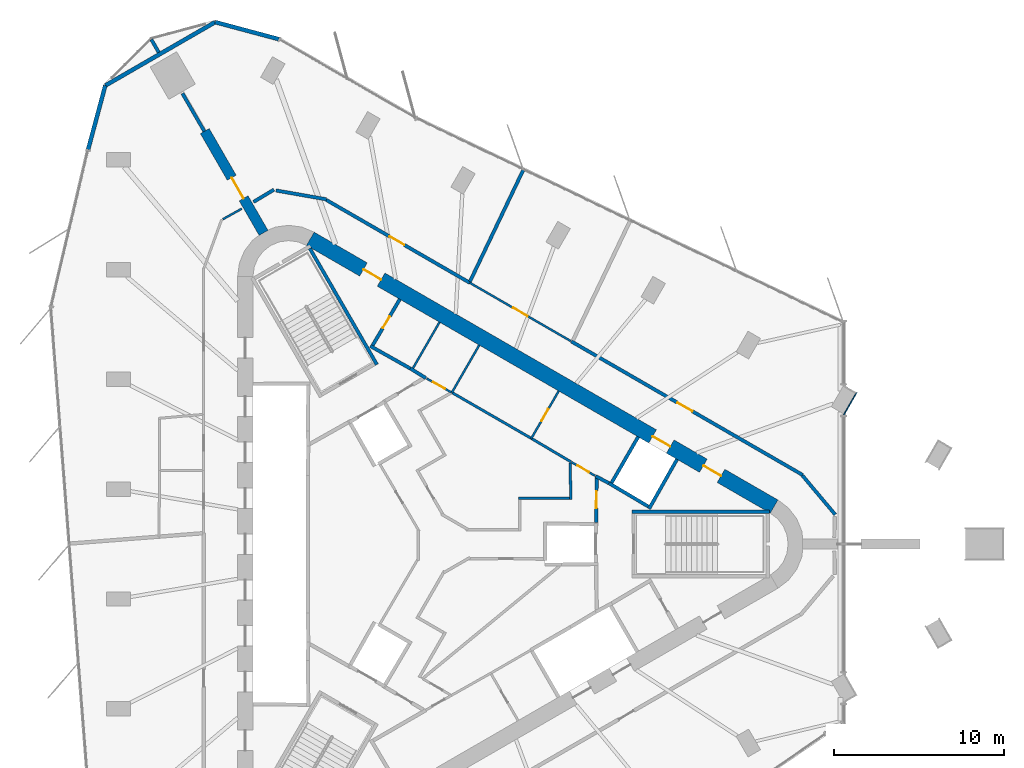
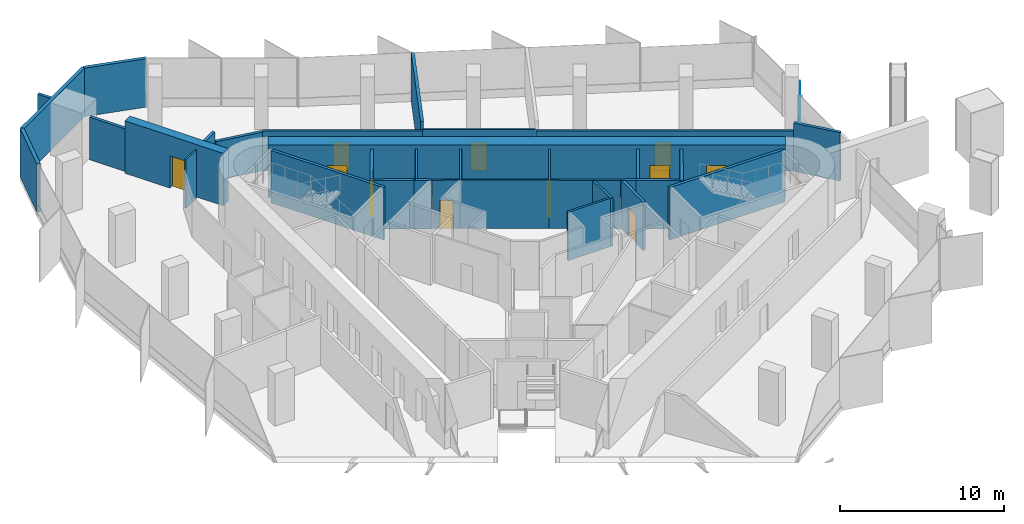
# One storey, part 10 of 12: 35 walls, 12 doors, 12 openings.
"""IFC4 building model written with IfcOpenShell, lengths in metres."""

from ifc_helpers import new_model, si_unit, direction, frame, frame_2d, origin, place, context, subcontext, project, spatial, rectangle, extrude, material, layer, layer_set, type_object, element, fill, save


model = new_model("IFC4")

# Units and contexts
model_context = context("Model", 3, precision=1e-05, world=origin(), true_north=direction((0.0, 1.0)))
body_context = subcontext(model_context, "Body", "Model", "MODEL_VIEW")
ifc_project = project(units=[si_unit("LENGTHUNIT", "METRE"), si_unit("AREAUNIT", "SQUARE_METRE"), si_unit("VOLUMEUNIT", "CUBIC_METRE"), si_unit("PLANEANGLEUNIT", "RADIAN"), si_unit("MASSUNIT", "GRAM", prefix="KILO")], contexts=[model_context])

# Site, building, storey
site_placement = place(None, origin())
site = spatial("IfcSite", under=ifc_project, at=site_placement, CompositionType="ELEMENT")
building_placement = place(site_placement, origin())
building = spatial("IfcBuilding", under=site, at=building_placement, Name="Tanit Gate Tower", CompositionType="ELEMENT")
storey_placement = place(building_placement, frame((0.0, 0.0, 372.800048828125)))
storey = spatial("IfcBuildingStorey", under=building, at=storey_placement, Name="L85", CompositionType="ELEMENT", Elevation=372.800048828125)

# Wall, opening, door
ifc_material_1 = material(Name="Concrete C40/50", Category="concrete")
ifc_layer_1 = layer(ifc_material_1, 0.60009765625)
ifc_layer_set_1 = layer_set([ifc_layer_1], Name="BUTTRESS FIN 600 C40/50")
wall_type_1 = type_object("IfcWallType", Name="BUTTRESS FIN 600 C40/50", PredefinedType="SHEAR", material=ifc_layer_set_1)
wall_1_placement = place(storey_placement, frame((-10.574951171875, 18.31640625, 0.0), z_axis=(0.0, 0.0, 1.0), x_axis=(-0.499997253739, 0.866026989333, 0.0)))
wall_1 = element("IfcWall", 1, at=wall_1_placement, inside=storey, type_object=wall_type_1, Name="BUTTRESS FIN", PredefinedType="SHEAR", context=body_context, shape_type="SweptSolid", body=[
    extrude(rectangle(XDim=6.92138671875, YDim=0.60009765625, at=frame_2d((3.460693359375, 0.0))), origin(), (0.0, 0.0, 1.0), 3.89990234375),
])
opening_1_placement = place(wall_1_placement, frame((2.35009765625, 0.0, 0.0)))
opening_1 = element("IfcOpeningElement", 2, at=opening_1_placement, cuts=wall_1, Name="Opening P14-85-F-NW-1", PredefinedType="OPENING", context=body_context, shape_type="SweptSolid", body=[
    extrude(rectangle(XDim=1.39990234375, YDim=2.39990234375, at=frame_2d((0.699951171875, 1.199951171875))), frame((0.0, 0.31005859375, 0.0), z_axis=(0.0, -1.0, 0.0), x_axis=(1.0, 0.0, 0.0)), (0.0, 0.0, 1.0), 0.6201171875),
])
ifc_material_2 = material(Name="Timber door leaf", Category="wood")
door_type_1 = type_object("IfcDoorType", Name="INT-DOOR-FIN-PAIR-1400", OperationType="NOTDEFINED", PredefinedType="NOTDEFINED", material=ifc_material_2)
door_1_placement = place(opening_1_placement, origin())
door_1 = element("IfcDoor", 3, at=door_1_placement, inside=storey, type_object=door_type_1, Name="Door P14-85-F-NW-1", OperationType="DOUBLE_DOOR_SINGLE_SWING", OverallHeight=2.39990234375, OverallWidth=1.39990234375, PredefinedType="NOTDEFINED", context=body_context, shape_type="SweptSolid", body=[
    extrude(rectangle(XDim=1.39990234375, YDim=2.39990234375, at=frame_2d((0.699951171875, 1.199951171875))), frame((0.0, 0.02490234375, 0.0), z_axis=(0.0, -1.0, 0.0), x_axis=(1.0, 0.0, 0.0)), (0.0, 0.0, 1.0), 0.050048828125),
])
fill(opening_1, door_1)

# Wall, openings, doors
ifc_material_3 = material(Name="Concrete C40/50", Category="concrete")
ifc_layer_2 = layer(ifc_material_3, 0.89990234375)
ifc_layer_set_2 = layer_set([ifc_layer_2], Name="CORE WALL 900 C40/50")
wall_type_2 = type_object("IfcWallType", Name="CORE WALL 900 C40/50", PredefinedType="SHEAR", material=ifc_layer_set_2)
wall_2_placement = place(storey_placement, frame((19.47509765625, 2.20849609375, 0.0), z_axis=(0.0, 0.0, 1.0), x_axis=(-0.866028369851, 0.499994862586, 0.0)))
wall_2 = element("IfcWall", 4, at=wall_2_placement, inside=storey, type_object=wall_type_2, Name="CORE WALL", PredefinedType="SHEAR", context=body_context, shape_type="SweptSolid", body=[
    extrude(rectangle(XDim=31.523193359375, YDim=0.89990234375, at=frame_2d((15.76171875, 0.0))), origin(), (0.0, 0.0, 1.0), 3.89990234375),
])
opening_2_placement = place(wall_2_placement, frame((7.0615234375, 0.0, 0.0)))
opening_2 = element("IfcOpeningElement", 5, at=opening_2_placement, cuts=wall_2, Name="Opening LDHL8-85", PredefinedType="OPENING", context=body_context, shape_type="SweptSolid", body=[
    extrude(rectangle(XDim=1.199951171875, YDim=2.39990234375, at=frame_2d((0.60009765625, 1.199951171875))), frame((0.0, 0.4599609375, 0.0), z_axis=(0.0, -1.0, 0.0), x_axis=(1.0, 0.0, 0.0)), (0.0, 0.0, 1.0), 0.919921875),
])
opening_3_placement = place(wall_2_placement, frame((3.611572265625, 0.0, 0.0)))
opening_3 = element("IfcOpeningElement", 6, at=opening_3_placement, cuts=wall_2, Name="Opening F12-85-FL1", PredefinedType="OPENING", context=body_context, shape_type="SweptSolid", body=[
    extrude(rectangle(XDim=1.199951171875, YDim=2.39990234375, at=frame_2d((0.60009765625, 1.199951171875))), frame((0.0, 0.4599609375, 0.0), z_axis=(0.0, -1.0, 0.0), x_axis=(1.0, 0.0, 0.0)), (0.0, 0.0, 1.0), 0.919921875),
])
opening_4_placement = place(wall_2_placement, frame((26.711669921875, 0.0, 0.0)))
opening_4 = element("IfcOpeningElement", 7, at=opening_4_placement, cuts=wall_2, Name="Opening F12-85-S2", PredefinedType="OPENING", context=body_context, shape_type="SweptSolid", body=[
    extrude(rectangle(XDim=1.199951171875, YDim=2.39990234375, at=frame_2d((0.60009765625, 1.199951171875))), frame((0.0, 0.4599609375, 0.0), z_axis=(0.0, -1.0, 0.0), x_axis=(1.0, 0.0, 0.0)), (0.0, 0.0, 1.0), 0.919921875),
])
ifc_material_4 = material(Name="Fire-rated steel door leaf", Category="steel")
door_type_2 = type_object("IfcDoorType", Name="INT-DOOR-FIRE-LOBBY-1200", OperationType="NOTDEFINED", PredefinedType="USERDEFINED", material=ifc_material_4)
door_2_placement = place(opening_3_placement, origin())
door_2 = element("IfcDoor", 8, at=door_2_placement, inside=storey, type_object=door_type_2, Name="Door F12-85-FL1", ObjectType="FIRE DOOR", OperationType="SINGLE_SWING_LEFT", OverallHeight=2.39990234375, OverallWidth=1.199951171875, PredefinedType="USERDEFINED", context=body_context, shape_type="SweptSolid", body=[
    extrude(rectangle(XDim=1.199951171875, YDim=2.39990234375, at=frame_2d((0.60009765625, 1.199951171875))), frame((0.0, 0.02490234375, 0.0), z_axis=(0.0, -1.0, 0.0), x_axis=(1.0, 0.0, 0.0)), (0.0, 0.0, 1.0), 0.050048828125),
])
fill(opening_3, door_2)
door_3_placement = place(opening_4_placement, origin())
door_3 = element("IfcDoor", 9, at=door_3_placement, inside=storey, type_object=door_type_2, Name="Door F12-85-S2", ObjectType="FIRE DOOR", OperationType="SINGLE_SWING_RIGHT", OverallHeight=2.39990234375, OverallWidth=1.199951171875, PredefinedType="USERDEFINED", context=body_context, shape_type="SweptSolid", body=[
    extrude(rectangle(XDim=1.199951171875, YDim=2.39990234375, at=frame_2d((0.60009765625, 1.199951171875))), frame((0.0, 0.02490234375, 0.0), z_axis=(0.0, -1.0, 0.0), x_axis=(1.0, 0.0, 0.0)), (0.0, 0.0, 1.0), 0.050048828125),
])
fill(opening_4, door_3)
ifc_material_5 = material(Name="Stainless steel sliding door leaf", Category="steel")
door_type_3 = type_object("IfcDoorType", Name="INT-DOOR-LANDING-1200", OperationType="NOTDEFINED", PredefinedType="USERDEFINED", material=ifc_material_5)
door_4_placement = place(opening_2_placement, origin())
door_4 = element("IfcDoor", 10, at=door_4_placement, inside=storey, type_object=door_type_3, Name="Door LDHL8-85", ObjectType="LANDING DOOR", OperationType="SLIDING_TO_LEFT", OverallHeight=2.39990234375, OverallWidth=1.199951171875, PredefinedType="USERDEFINED", context=body_context, shape_type="SweptSolid", body=[
    extrude(rectangle(XDim=1.199951171875, YDim=2.39990234375, at=frame_2d((0.60009765625, 1.199951171875))), frame((0.0, 0.02490234375, 0.0), z_axis=(0.0, -1.0, 0.0), x_axis=(1.0, 0.0, 0.0)), (0.0, 0.0, 1.0), 0.050048828125),
])
fill(opening_2, door_4)

# Walls
ifc_material_6 = material(Name="Bronze anodised aluminium cladding", Category="aluminium")
ifc_layer_3 = layer(ifc_material_6, 0.06005859375)
ifc_layer_set_3 = layer_set([ifc_layer_3], Name="Column casing bronze 60")
wall_type_3 = type_object("IfcWallType", Name="Column casing bronze 60", PredefinedType="SOLIDWALL", material=ifc_layer_set_3)
wall_3_placement = place(storey_placement, frame((23.568603515625, 7.5927734375, 0.0), z_axis=(0.0, 0.0, 1.0), x_axis=(0.499991248344, 0.866030456496, 0.0)))
element("IfcWall", 11, at=wall_3_placement, inside=storey, type_object=wall_type_3, Name="Column casing L85 P-NE2.L2", PredefinedType="SOLIDWALL", context=body_context, shape_type="SweptSolid", body=[
    extrude(rectangle(XDim=1.52001953125, YDim=0.06005859375, at=frame_2d((0.760009765625, 0.0))), origin(), (0.0, 0.0, 1.0), 2.60986328125),
])
ifc_material_7 = material(Name="Concrete C30/37 with bronze anodised aluminium cladding", Category="concrete")
ifc_layer_4 = layer(ifc_material_7, 0.239990234375)
ifc_layer_set_4 = layer_set([ifc_layer_4], Name="Facade wall bronze clad 240")
wall_type_4 = type_object("IfcWallType", Name="Facade wall bronze clad 240", PredefinedType="SOLIDWALL", material=ifc_layer_set_4)
wall_4_placement = place(storey_placement, frame((-9.671875, 29.71728515625, 0.0), z_axis=(0.0, 0.0, 1.0), x_axis=(-0.965934865273, 0.2587853088, 0.0)))
element("IfcWall", 12, at=wall_4_placement, inside=storey, type_object=wall_type_4, Name="Bronze-clad facade wall L85 NW.arc1", PredefinedType="SOLIDWALL", context=body_context, shape_type="SweptSolid", body=[
    extrude(rectangle(XDim=3.884033203125, YDim=0.239990234375, at=frame_2d((1.94189453125, 0.0))), origin(), (0.0, 0.0, 1.0), 3.599853515625),
])
wall_5_placement = place(storey_placement, frame((-13.423583984375, 30.722412109375, 0.0), z_axis=(0.0, 0.0, 1.0), x_axis=(-0.866034867299, -0.499983608354, 0.0)))
element("IfcWall", 13, at=wall_5_placement, inside=storey, type_object=wall_type_4, Name="Bronze-clad facade wall L85 NW.arc2", PredefinedType="SOLIDWALL", context=body_context, shape_type="SweptSolid", body=[
    extrude(rectangle(XDim=7.471923828125, YDim=0.239990234375, at=frame_2d((3.73583984375, 0.0))), origin(), (0.0, 0.0, 1.0), 3.599853515625),
])
wall_6_placement = place(storey_placement, frame((-19.89453125, 26.986572265625, 0.0), z_axis=(0.0, 0.0, 1.0), x_axis=(-0.258843563882, -0.965919256169, 0.0)))
element("IfcWall", 14, at=wall_6_placement, inside=storey, type_object=wall_type_4, Name="Bronze-clad facade wall L85 NW.arc3", PredefinedType="SOLIDWALL", context=body_context, shape_type="SweptSolid", body=[
    extrude(rectangle(XDim=3.898193359375, YDim=0.239990234375, at=frame_2d((1.94921875, 0.0))), origin(), (0.0, 0.0, 1.0), 3.599853515625),
])
ifc_material_8 = material(Name="Fire-rated gypsum board partition")
ifc_layer_5 = layer(ifc_material_8, 0.199951171875)
ifc_layer_set_5 = layer_set([ifc_layer_5], Name="INT-WALL-COMPARTMENT")
wall_type_5 = type_object("IfcWallType", Name="INT-WALL-COMPARTMENT", PredefinedType="PARTITIONING", material=ifc_layer_set_5)
wall_7_placement = place(storey_placement, frame((8.97412109375, 3.998779296875, 0.0), z_axis=(0.0, 0.0, 1.0), x_axis=(0.880917147855, -0.473270513147, 0.0)))
element("IfcWall", 15, at=wall_7_placement, inside=storey, type_object=wall_type_5, Name="Wall Compartment W049", PredefinedType="PARTITIONING", context=body_context, shape_type="SweptSolid", body=[
    extrude(rectangle(XDim=0.8779296875, YDim=0.199951171875, at=frame_2d((0.43896484375, 0.0))), origin(), (0.0, 0.0, 1.0), 3.599853515625),
])
wall_8_placement = place(storey_placement, frame((-1.940673828125, 10.338623046875, 0.0), z_axis=(0.0, 0.0, 1.0), x_axis=(0.850216889117, -0.526432561171, 0.0)))
element("IfcWall", 16, at=wall_8_placement, inside=storey, type_object=wall_type_5, Name="Wall Compartment W055", PredefinedType="PARTITIONING", context=body_context, shape_type="SweptSolid", body=[
    extrude(rectangle(XDim=1.078369140625, YDim=0.199951171875, at=frame_2d((0.5390625, 0.0))), origin(), (0.0, 0.0, 1.0), 3.599853515625),
])
wall_9_placement = place(storey_placement, frame((-4.296142578125, 11.658935546875, 0.0), z_axis=(0.0, 0.0, 1.0), x_axis=(0.871534483978, -0.490334215854, 0.0)))
element("IfcWall", 17, at=wall_9_placement, inside=storey, type_object=wall_type_5, Name="Wall Compartment W057", PredefinedType="PARTITIONING", context=body_context, shape_type="SweptSolid", body=[
    extrude(rectangle(XDim=2.7001953125, YDim=0.199951171875, at=frame_2d((1.35009765625, 0.0))), origin(), (0.0, 0.0, 1.0), 3.599853515625),
])

# Wall, opening, door
wall_10_placement = place(storey_placement, frame((-2.557861328125, 14.409423828125, 0.0), z_axis=(0.0, 0.0, 1.0), x_axis=(-0.508018930956, -0.861345903683, 0.0)))
wall_10 = element("IfcWall", 18, at=wall_10_placement, inside=storey, type_object=wall_type_5, Name="Wall Compartment W058", PredefinedType="PARTITIONING", context=body_context, shape_type="SweptSolid", body=[
    extrude(rectangle(XDim=3.150146484375, YDim=0.199951171875, at=frame_2d((1.5751953125, 0.0))), origin(), (0.0, 0.0, 1.0), 3.599853515625),
])
opening_5_placement = place(wall_10_placement, frame((1.175048828125, 0.0, 0.0)))
opening_5 = element("IfcOpeningElement", 19, at=opening_5_placement, cuts=wall_10, Name="Opening R08-85-17", PredefinedType="OPENING", context=body_context, shape_type="SweptSolid", body=[
    extrude(rectangle(XDim=0.800048828125, YDim=2.10009765625, at=frame_2d((0.39990234375, 1.050048828125))), frame((0.0, 0.10986328125, 0.0), z_axis=(0.0, -1.0, 0.0), x_axis=(1.0, 0.0, 0.0)), (0.0, 0.0, 1.0), 0.219970703125),
])
ifc_material_9 = material(Name="Timber door leaf", Category="wood")
door_type_4 = type_object("IfcDoorType", Name="INT-DOOR-RISER-800", OperationType="NOTDEFINED", PredefinedType="USERDEFINED", material=ifc_material_9)
door_5_placement = place(opening_5_placement, origin())
door_5 = element("IfcDoor", 20, at=door_5_placement, inside=storey, type_object=door_type_4, Name="Door R08-85-17", ObjectType="FIRE DOOR", OperationType="SINGLE_SWING_RIGHT", OverallHeight=2.10009765625, OverallWidth=0.800048828125, PredefinedType="USERDEFINED", context=body_context, shape_type="SweptSolid", body=[
    extrude(rectangle(XDim=0.800048828125, YDim=2.10009765625, at=frame_2d((0.39990234375, 1.050048828125))), frame((0.0, 0.02490234375, 0.0), z_axis=(0.0, -1.0, 0.0), x_axis=(1.0, 0.0, 0.0)), (0.0, 0.0, 1.0), 0.050048828125),
])
fill(opening_5, door_5)

wall_11_placement = place(storey_placement, frame((9.0009765625, 1.27001953125, 0.0), z_axis=(0.0, 0.0, 1.0), x_axis=(0.010723968736, 0.999942496594, 0.0)))
wall_11 = element("IfcWall", 21, at=wall_11_placement, inside=storey, type_object=wall_type_5, Name="Wall Compartment W068", PredefinedType="PARTITIONING", context=body_context, shape_type="SweptSolid", body=[
    extrude(rectangle(XDim=2.709228515625, YDim=0.199951171875, at=frame_2d((1.3544921875, 0.0))), origin(), (0.0, 0.0, 1.0), 3.599853515625),
])
opening_6_placement = place(wall_11_placement, frame((0.848388671875, 0.0, 0.0)))
opening_6 = element("IfcOpeningElement", 22, at=opening_6_placement, cuts=wall_11, Name="Opening F10-85-02", PredefinedType="OPENING", context=body_context, shape_type="SweptSolid", body=[
    extrude(rectangle(XDim=1.0, YDim=2.10009765625, at=frame_2d((0.5, 1.050048828125))), frame((0.0, 0.10986328125, 0.0), z_axis=(0.0, -1.0, 0.0), x_axis=(1.0, 0.0, 0.0)), (0.0, 0.0, 1.0), 0.219970703125),
])
ifc_material_10 = material(Name="Fire-rated steel door leaf", Category="steel")
door_type_5 = type_object("IfcDoorType", Name="INT-DOOR-FIRE-1000", OperationType="NOTDEFINED", PredefinedType="USERDEFINED", material=ifc_material_10)
door_6_placement = place(opening_6_placement, origin())
door_6 = element("IfcDoor", 23, at=door_6_placement, inside=storey, type_object=door_type_5, Name="Door F10-85-02", ObjectType="FIRE DOOR", OperationType="SINGLE_SWING_LEFT", OverallHeight=2.10009765625, OverallWidth=1.0, PredefinedType="USERDEFINED", context=body_context, shape_type="SweptSolid", body=[
    extrude(rectangle(XDim=1.0, YDim=2.10009765625, at=frame_2d((0.5, 1.050048828125))), frame((0.0, 0.02490234375, 0.0), z_axis=(0.0, -1.0, 0.0), x_axis=(1.0, 0.0, 0.0)), (0.0, 0.0, 1.0), 0.050048828125),
])
fill(opening_6, door_6)

# Walls
wall_12_placement = place(storey_placement, frame((-14.061767578125, 24.295654296875, 0.0), z_axis=(0.0, 0.0, 1.0), x_axis=(-0.500018234033, 0.866014876105, 0.0)))
element("IfcWall", 24, at=wall_12_placement, inside=storey, type_object=wall_type_5, Name="Wall Compartment W105", PredefinedType="PARTITIONING", context=body_context, shape_type="SweptSolid", body=[
    extrude(rectangle(XDim=2.572265625, YDim=0.199951171875, at=frame_2d((1.2861328125, 0.0))), origin(), (0.0, 0.0, 1.0), 3.169921875),
])
wall_13_placement = place(storey_placement, frame((-16.7451171875, 28.943359375, 0.0), z_axis=(0.0, 0.0, 1.0), x_axis=(-0.499988720078, 0.866031916153, 0.0)))
element("IfcWall", 25, at=wall_13_placement, inside=storey, type_object=wall_type_5, Name="Wall Compartment W104", PredefinedType="PARTITIONING", context=body_context, shape_type="SweptSolid", body=[
    extrude(rectangle(XDim=0.873046875, YDim=0.199951171875, at=frame_2d((0.4365234375, 0.0))), origin(), (0.0, 0.0, 1.0), 3.599853515625),
])

# Wall, opening, door
wall_14_placement = place(storey_placement, frame((21.16064453125, 4.064208984375, 0.0), z_axis=(0.0, 0.0, 1.0), x_axis=(-0.866029218834, 0.499993392081, 0.0)))
wall_14 = element("IfcWall", 26, at=wall_14_placement, inside=storey, type_object=wall_type_5, Name="Wall Compartment W110", PredefinedType="PARTITIONING", context=body_context, shape_type="SweptSolid", body=[
    extrude(rectangle(XDim=15.730224609375, YDim=0.199951171875, at=frame_2d((7.865234375, 0.0))), origin(), (0.0, 0.0, 1.0), 2.969970703125),
])
opening_7_placement = place(wall_14_placement, frame((7.5, 0.0, 0.0)))
opening_7 = element("IfcOpeningElement", 27, at=opening_7_placement, cuts=wall_14, Name="Opening F10-85-25", PredefinedType="OPENING", context=body_context, shape_type="SweptSolid", body=[
    extrude(rectangle(XDim=1.0, YDim=2.10009765625, at=frame_2d((0.5, 1.050048828125))), frame((0.0, 0.10986328125, 0.0), z_axis=(0.0, -1.0, 0.0), x_axis=(1.0, 0.0, 0.0)), (0.0, 0.0, 1.0), 0.219970703125),
])
door_7_placement = place(opening_7_placement, origin())
door_7 = element("IfcDoor", 28, at=door_7_placement, inside=storey, type_object=door_type_5, Name="Door F10-85-25", ObjectType="FIRE DOOR", OperationType="SINGLE_SWING_LEFT", OverallHeight=2.10009765625, OverallWidth=1.0, PredefinedType="USERDEFINED", context=body_context, shape_type="SweptSolid", body=[
    extrude(rectangle(XDim=1.0, YDim=2.10009765625, at=frame_2d((0.5, 1.050048828125))), frame((0.0, 0.02490234375, 0.0), z_axis=(0.0, -1.0, 0.0), x_axis=(1.0, 0.0, 0.0)), (0.0, 0.0, 1.0), 0.050048828125),
])
fill(opening_7, door_7)

wall_15_placement = place(storey_placement, frame((1.5625, 15.379150390625, 0.0), z_axis=(0.0, 0.0, 1.0), x_axis=(-0.866021830133, 0.500006189695, 0.0)))
wall_15 = element("IfcWall", 29, at=wall_15_placement, inside=storey, type_object=wall_type_5, Name="Wall Compartment W116", PredefinedType="PARTITIONING", context=body_context, shape_type="SweptSolid", body=[
    extrude(rectangle(XDim=9.75732421875, YDim=0.199951171875, at=frame_2d((4.878662109375, 0.0))), origin(), (0.0, 0.0, 1.0), 2.969970703125),
])
opening_8_placement = place(wall_15_placement, frame((4.456298828125, 0.0, 0.0)))
opening_8 = element("IfcOpeningElement", 30, at=opening_8_placement, cuts=wall_15, Name="Opening F10-85-27", PredefinedType="OPENING", context=body_context, shape_type="SweptSolid", body=[
    extrude(rectangle(XDim=1.0, YDim=2.10009765625, at=frame_2d((0.5, 1.050048828125))), frame((0.0, 0.10986328125, 0.0), z_axis=(0.0, -1.0, 0.0), x_axis=(1.0, 0.0, 0.0)), (0.0, 0.0, 1.0), 0.219970703125),
])
door_8_placement = place(opening_8_placement, origin())
door_8 = element("IfcDoor", 31, at=door_8_placement, inside=storey, type_object=door_type_5, Name="Door F10-85-27", ObjectType="FIRE DOOR", OperationType="SINGLE_SWING_RIGHT", OverallHeight=2.10009765625, OverallWidth=1.0, PredefinedType="USERDEFINED", context=body_context, shape_type="SweptSolid", body=[
    extrude(rectangle(XDim=1.0, YDim=2.10009765625, at=frame_2d((0.5, 1.050048828125))), frame((0.0, 0.02490234375, 0.0), z_axis=(0.0, -1.0, 0.0), x_axis=(1.0, 0.0, 0.0)), (0.0, 0.0, 1.0), 0.050048828125),
])
fill(opening_8, door_8)

# Walls
wall_16_placement = place(storey_placement, frame((23.0703125, 1.7353515625, 0.0), z_axis=(0.0, 0.0, 1.0), x_axis=(-0.642801456619, 0.76603282395, 0.0)))
element("IfcWall", 32, at=wall_16_placement, inside=storey, type_object=wall_type_5, Name="Wall Compartment W111", PredefinedType="PARTITIONING", context=body_context, shape_type="SweptSolid", body=[
    extrude(rectangle(XDim=3.00537109375, YDim=0.199951171875, at=frame_2d((1.502685546875, 0.0))), origin(), (0.0, 0.0, 1.0), 3.599853515625),
])
wall_17_placement = place(storey_placement, frame((-9.963623046875, 20.85986328125, 0.0), z_axis=(0.0, 0.0, 1.0), x_axis=(-0.857308408435, -0.514803159302, 0.0)))
element("IfcWall", 33, at=wall_17_placement, inside=storey, type_object=wall_type_5, Name="Wall Compartment W114", PredefinedType="PARTITIONING", context=body_context, shape_type="SweptSolid", body=[
    extrude(rectangle(XDim=1.4013671875, YDim=0.199951171875, at=frame_2d((0.70068359375, 0.0))), origin(), (0.0, 0.0, 1.0), 3.599853515625),
])
wall_18_placement = place(storey_placement, frame((-6.875732421875, 20.29052734375, 0.0), z_axis=(0.0, 0.0, 1.0), x_axis=(-0.984819400126, 0.173582110644, 0.0)))
element("IfcWall", 34, at=wall_18_placement, inside=storey, type_object=wall_type_5, Name="Wall Compartment W115", PredefinedType="PARTITIONING", context=body_context, shape_type="SweptSolid", body=[
    extrude(rectangle(XDim=3.015625, YDim=0.199951171875, at=frame_2d((1.5078125, 0.0))), origin(), (0.0, 0.0, 1.0), 2.8798828125),
])
wall_19_placement = place(storey_placement, frame((1.567626953125, 15.445556640625, 0.0), z_axis=(0.0, 0.0, 1.0), x_axis=(0.431215944758, 0.902248751169, 0.0)))
element("IfcWall", 35, at=wall_19_placement, inside=storey, type_object=wall_type_5, Name="Wall Compartment W118", PredefinedType="PARTITIONING", context=body_context, shape_type="SweptSolid", body=[
    extrude(rectangle(XDim=7.321044921875, YDim=0.199951171875, at=frame_2d((3.66064453125, 0.0))), origin(), (0.0, 0.0, 1.0), 3.599853515625),
])

# Wall, opening, door
ifc_material_11 = material(Name="Gypsum board partition")
ifc_layer_6 = layer(ifc_material_11, 0.1201171875)
ifc_layer_set_6 = layer_set([ifc_layer_6], Name="INT-WALL-PARTITION")
wall_type_6 = type_object("IfcWallType", Name="INT-WALL-PARTITION", PredefinedType="PARTITIONING", material=ifc_layer_set_6)
wall_20_placement = place(storey_placement, frame((6.795166015625, 9.009521484375, 0.0), z_axis=(0.0, 0.0, 1.0), x_axis=(-0.499984717929, -0.866034226713, 0.0)))
wall_20 = element("IfcWall", 36, at=wall_20_placement, inside=storey, type_object=wall_type_6, Name="Wall Partition W048", PredefinedType="PARTITIONING", context=body_context, shape_type="SweptSolid", body=[
    extrude(rectangle(XDim=3.25, YDim=0.1201171875, at=frame_2d((1.625, 0.0))), origin(), (0.0, 0.0, 1.0), 3.599853515625),
])
opening_9_placement = place(wall_20_placement, frame((1.22509765625, 0.0, 0.0)))
opening_9 = element("IfcOpeningElement", 37, at=opening_9_placement, cuts=wall_20, Name="Opening R08-85-15", PredefinedType="OPENING", context=body_context, shape_type="SweptSolid", body=[
    extrude(rectangle(XDim=0.800048828125, YDim=2.10009765625, at=frame_2d((0.39990234375, 1.050048828125))), frame((0.0, 0.070068359375, 0.0), z_axis=(0.0, -1.0, 0.0), x_axis=(1.0, 0.0, 0.0)), (0.0, 0.0, 1.0), 0.14013671875),
])
door_9_placement = place(opening_9_placement, origin())
door_9 = element("IfcDoor", 38, at=door_9_placement, inside=storey, type_object=door_type_4, Name="Door R08-85-15", ObjectType="FIRE DOOR", OperationType="SINGLE_SWING_LEFT", OverallHeight=2.10009765625, OverallWidth=0.800048828125, PredefinedType="USERDEFINED", context=body_context, shape_type="SweptSolid", body=[
    extrude(rectangle(XDim=0.800048828125, YDim=2.10009765625, at=frame_2d((0.39990234375, 1.050048828125))), frame((0.0, 0.02490234375, 0.0), z_axis=(0.0, -1.0, 0.0), x_axis=(1.0, 0.0, 0.0)), (0.0, 0.0, 1.0), 0.050048828125),
])
fill(opening_9, door_9)

wall_21_placement = place(storey_placement, frame((7.550048828125, 4.82080078125, 0.0), z_axis=(0.0, 0.0, 1.0), x_axis=(0.866019818373, -0.500009674092, 0.0)))
wall_21 = element("IfcWall", 39, at=wall_21_placement, inside=storey, type_object=wall_type_6, Name="Wall Partition W051", PredefinedType="PARTITIONING", context=body_context, shape_type="SweptSolid", body=[
    extrude(rectangle(XDim=1.59423828125, YDim=0.1201171875, at=frame_2d((0.797119140625, 0.0))), origin(), (0.0, 0.0, 1.0), 3.599853515625),
])
opening_10_placement = place(wall_21_placement, frame((0.397216796875, 0.0, 0.0)))
opening_10 = element("IfcOpeningElement", 40, at=opening_10_placement, cuts=wall_21, Name="Opening R08-85-14", PredefinedType="OPENING", context=body_context, shape_type="SweptSolid", body=[
    extrude(rectangle(XDim=0.800048828125, YDim=2.10009765625, at=frame_2d((0.39990234375, 1.050048828125))), frame((0.0, 0.070068359375, 0.0), z_axis=(0.0, -1.0, 0.0), x_axis=(1.0, 0.0, 0.0)), (0.0, 0.0, 1.0), 0.14013671875),
])
door_10_placement = place(opening_10_placement, origin())
door_10 = element("IfcDoor", 41, at=door_10_placement, inside=storey, type_object=door_type_4, Name="Door R08-85-14", ObjectType="FIRE DOOR", OperationType="SINGLE_SWING_RIGHT", OverallHeight=2.10009765625, OverallWidth=0.800048828125, PredefinedType="USERDEFINED", context=body_context, shape_type="SweptSolid", body=[
    extrude(rectangle(XDim=0.800048828125, YDim=2.10009765625, at=frame_2d((0.39990234375, 1.050048828125))), frame((0.0, 0.02490234375, 0.0), z_axis=(0.0, -1.0, 0.0), x_axis=(1.0, 0.0, 0.0)), (0.0, 0.0, 1.0), 0.050048828125),
])
fill(opening_10, door_10)

# Walls
for number, where, z_axis, x_axis, name in (
    (42, (2.11865234375, 11.70947265625, 0.0), (0.0, 0.0, 1.0), (-0.500017246033, -0.866015446554, 0.0), "Wall Partition W052"),
    (43, (-0.2197265625, 13.0595703125, 0.0), (0.0, 0.0, 1.0), (-0.499984717929, -0.866034226713, 0.0), "Wall Partition W054"),
):
    element("IfcWall", number, at=place(storey_placement, frame(where, z_axis=z_axis, x_axis=x_axis)), inside=storey, type_object=wall_type_6, Name=name, PredefinedType="PARTITIONING", context=body_context, shape_type="SweptSolid", body=[
        extrude(rectangle(XDim=3.25, YDim=0.1201171875, at=frame_2d((1.625, 0.0))), origin(), (0.0, 0.0, 1.0), 3.599853515625),
    ])

# Wall, opening, door
wall_22_placement = place(storey_placement, frame((-0.979248046875, 9.746826171875, 0.0), z_axis=(0.0, 0.0, 1.0), x_axis=(0.871957532922, -0.489581515972, 0.0)))
wall_22 = element("IfcWall", 44, at=wall_22_placement, inside=storey, type_object=wall_type_6, Name="Wall Partition W056", PredefinedType="PARTITIONING", context=body_context, shape_type="SweptSolid", body=[
    extrude(rectangle(XDim=1.671630859375, YDim=0.1201171875, at=frame_2d((0.8359375, 0.0))), origin(), (0.0, 0.0, 1.0), 3.599853515625),
])
opening_11_placement = place(wall_22_placement, frame((0.435791015625, 0.0, 0.0)))
opening_11 = element("IfcOpeningElement", 45, at=opening_11_placement, cuts=wall_22, Name="Opening R08-85-16", PredefinedType="OPENING", context=body_context, shape_type="SweptSolid", body=[
    extrude(rectangle(XDim=0.800048828125, YDim=2.10009765625, at=frame_2d((0.39990234375, 1.050048828125))), frame((0.0, 0.070068359375, 0.0), z_axis=(0.0, -1.0, 0.0), x_axis=(1.0, 0.0, 0.0)), (0.0, 0.0, 1.0), 0.14013671875),
])
door_11_placement = place(opening_11_placement, origin())
door_11 = element("IfcDoor", 46, at=door_11_placement, inside=storey, type_object=door_type_4, Name="Door R08-85-16", ObjectType="FIRE DOOR", OperationType="SINGLE_SWING_RIGHT", OverallHeight=2.10009765625, OverallWidth=0.800048828125, PredefinedType="USERDEFINED", context=body_context, shape_type="SweptSolid", body=[
    extrude(rectangle(XDim=0.800048828125, YDim=2.10009765625, at=frame_2d((0.39990234375, 1.050048828125))), frame((0.0, 0.02490234375, 0.0), z_axis=(0.0, -1.0, 0.0), x_axis=(1.0, 0.0, 0.0)), (0.0, 0.0, 1.0), 0.050048828125),
])
fill(opening_11, door_11)

# Wall
wall_23_placement = place(storey_placement, frame((-11.85791015625, 19.738525390625, 0.0), z_axis=(0.0, 0.0, 1.0), x_axis=(-0.874419574995, -0.485170492576, 0.0)))
element("IfcWall", 47, at=wall_23_placement, inside=storey, type_object=wall_type_6, Name="Wall Partition W094", PredefinedType="PARTITIONING", context=body_context, shape_type="SweptSolid", body=[
    extrude(rectangle(XDim=1.272705078125, YDim=0.1201171875, at=frame_2d((0.63623046875, 0.0))), origin(), (0.0, 0.0, 1.0), 3.599853515625),
])

# Wall, opening, door
wall_24_placement = place(storey_placement, frame((7.503173828125, 11.949462890625, 0.0), z_axis=(0.0, 0.0, 1.0), x_axis=(-0.866035638285, 0.499982272906, 0.0)))
wall_24 = element("IfcWall", 48, at=wall_24_placement, inside=storey, type_object=wall_type_6, Name="Wall Partition W113", PredefinedType="PARTITIONING", context=body_context, shape_type="SweptSolid", body=[
    extrude(rectangle(XDim=6.859619140625, YDim=0.1201171875, at=frame_2d((3.4296875, 0.0))), origin(), (0.0, 0.0, 1.0), 3.070068359375),
])
opening_12_placement = place(wall_24_placement, frame((2.931884765625, 0.0, 0.0)))
opening_12 = element("IfcOpeningElement", 49, at=opening_12_placement, cuts=wall_24, Name="Opening D10-85-26", PredefinedType="OPENING", context=body_context, shape_type="SweptSolid", body=[
    extrude(rectangle(XDim=1.0, YDim=2.10009765625, at=frame_2d((0.5, 1.050048828125))), frame((0.0, 0.070068359375, 0.0), z_axis=(0.0, -1.0, 0.0), x_axis=(1.0, 0.0, 0.0)), (0.0, 0.0, 1.0), 0.14013671875),
])
ifc_material_12 = material(Name="Timber door leaf", Category="wood")
door_type_6 = type_object("IfcDoorType", Name="INT-DOOR-SINGLE-1000", OperationType="NOTDEFINED", PredefinedType="NOTDEFINED", material=ifc_material_12)
door_12_placement = place(opening_12_placement, origin())
door_12 = element("IfcDoor", 50, at=door_12_placement, inside=storey, type_object=door_type_6, Name="Door D10-85-26", OperationType="SINGLE_SWING_RIGHT", OverallHeight=2.10009765625, OverallWidth=1.0, PredefinedType="NOTDEFINED", context=body_context, shape_type="SweptSolid", body=[
    extrude(rectangle(XDim=1.0, YDim=2.10009765625, at=frame_2d((0.5, 1.050048828125))), frame((0.0, 0.02490234375, 0.0), z_axis=(0.0, -1.0, 0.0), x_axis=(1.0, 0.0, 0.0)), (0.0, 0.0, 1.0), 0.050048828125),
])
fill(opening_12, door_12)

# Walls
ifc_material_13 = material(Name="Fire-rated gypsum board partition")
ifc_layer_7 = layer(ifc_material_13, 0.14990234375)
ifc_layer_set_7 = layer_set([ifc_layer_7], Name="INT-WALL-RISER")
wall_type_7 = type_object("IfcWallType", Name="INT-WALL-RISER", PredefinedType="PLUMBINGWALL", material=ifc_layer_set_7)
wall_25_placement = place(storey_placement, frame((7.530029296875, 4.83251953125, 0.0), z_axis=(0.0, 0.0, 1.0), x_axis=(-0.860550523279, 0.509365091938, 0.0)))
element("IfcWall", 51, at=wall_25_placement, inside=storey, type_object=wall_type_7, Name="Wall Riser W050", PredefinedType="PLUMBINGWALL", context=body_context, shape_type="SweptSolid", body=[
    extrude(rectangle(XDim=2.755126953125, YDim=0.14990234375, at=frame_2d((1.37744140625, 0.0))), origin(), (0.0, 0.0, 1.0), 3.599853515625),
])
wall_26_placement = place(storey_placement, frame((5.1591796875, 6.23583984375, 0.0), z_axis=(0.0, 0.0, 1.0), x_axis=(-0.866028230842, 0.499995103361, 0.0)))
element("IfcWall", 52, at=wall_26_placement, inside=storey, type_object=wall_type_7, Name="Wall Riser W053", PredefinedType="PLUMBINGWALL", context=body_context, shape_type="SweptSolid", body=[
    extrude(rectangle(XDim=5.39990234375, YDim=0.14990234375, at=frame_2d((2.699951171875, 0.0))), origin(), (0.0, 0.0, 1.0), 3.599853515625),
])
wall_27_placement = place(storey_placement, frame((7.5009765625, 2.625, 0.0), z_axis=(0.0, 0.0, 1.0), x_axis=(-0.011799927307, 0.999930378434, 0.0)))
element("IfcWall", 53, at=wall_27_placement, inside=storey, type_object=wall_type_7, Name="Wall Riser W083", PredefinedType="PLUMBINGWALL", context=body_context, shape_type="SweptSolid", body=[
    extrude(rectangle(XDim=2.15185546875, YDim=0.14990234375, at=frame_2d((1.075927734375, 0.0))), origin(), (0.0, 0.0, 1.0), 3.599853515625),
])
wall_28_placement = place(storey_placement, frame((4.425048828125, 2.699951171875, 0.0), z_axis=(0.0, 0.0, 1.0), x_axis=(1.0, 0.0, 0.0)))
element("IfcWall", 54, at=wall_28_placement, inside=storey, type_object=wall_type_7, Name="Wall Riser W084", PredefinedType="PLUMBINGWALL", context=body_context, shape_type="SweptSolid", body=[
    extrude(rectangle(XDim=3.0, YDim=0.14990234375, at=frame_2d((1.5, 0.0))), origin(), (0.0, 0.0, 1.0), 3.599853515625),
])
ifc_material_14 = material(Name="Gypsum shaft wall system")
ifc_layer_8 = layer(ifc_material_14, 0.199951171875)
ifc_layer_set_8 = layer_set([ifc_layer_8], Name="INT-WALL-SHAFT")
wall_type_8 = type_object("IfcWallType", Name="INT-WALL-SHAFT", PredefinedType="PLUMBINGWALL", material=ifc_layer_set_8)
wall_29_placement = place(storey_placement, frame((9.8466796875, 3.494873046875, 0.0), z_axis=(0.0, 0.0, 1.0), x_axis=(0.499984717929, 0.866034226713, 0.0)))
element("IfcWall", 55, at=wall_29_placement, inside=storey, type_object=wall_type_8, Name="Wall Shaft W012", PredefinedType="PLUMBINGWALL", context=body_context, shape_type="SweptSolid", body=[
    extrude(rectangle(XDim=3.25, YDim=0.199951171875, at=frame_2d((1.625, 0.0))), origin(), (0.0, 0.0, 1.0), 3.599853515625),
])
wall_30_placement = place(storey_placement, frame((12.10986328125, 2.07275390625, 0.0), z_axis=(0.0, 0.0, 1.0), x_axis=(0.49196600604, 0.870614408852, 0.0)))
element("IfcWall", 56, at=wall_30_placement, inside=storey, type_object=wall_type_8, Name="Wall Shaft W013", PredefinedType="PLUMBINGWALL", context=body_context, shape_type="SweptSolid", body=[
    extrude(rectangle(XDim=3.35009765625, YDim=0.199951171875, at=frame_2d((1.675048828125, 0.0))), origin(), (0.0, 0.0, 1.0), 3.599853515625),
])
wall_31_placement = place(storey_placement, frame((12.072998046875, 2.2109375, 0.0), z_axis=(0.0, 0.0, 1.0), x_axis=(-0.860414880418, 0.509594185166, 0.0)))
element("IfcWall", 57, at=wall_31_placement, inside=storey, type_object=wall_type_8, Name="Wall Shaft W014", PredefinedType="PLUMBINGWALL", context=body_context, shape_type="SweptSolid", body=[
    extrude(rectangle(XDim=2.7001953125, YDim=0.199951171875, at=frame_2d((1.35009765625, 0.0))), origin(), (0.0, 0.0, 1.0), 3.599853515625),
])
ifc_material_15 = material(Name="Concrete C40/50", Category="concrete")
ifc_layer_9 = layer(ifc_material_15, 0.199951171875)
ifc_layer_set_9 = layer_set([ifc_layer_9], Name="INT-WALL-STAIR")
wall_type_9 = type_object("IfcWallType", Name="INT-WALL-STAIR", PredefinedType="SHEAR", material=ifc_layer_set_9)
wall_32_placement = place(storey_placement, frame((19.199951171875, 1.89990234375, -0.300048828125), z_axis=(0.0, 0.0, 1.0), x_axis=(-1.0, 0.0, 0.0)))
element("IfcWall", 58, at=wall_32_placement, inside=storey, type_object=wall_type_9, Name="Wall Stair W020", PredefinedType="SHEAR", context=body_context, shape_type="SweptSolid", body=[
    extrude(rectangle(XDim=8.099853515625, YDim=0.199951171875, at=frame_2d((4.0498046875, 0.0))), origin(), (0.0, 0.0, 1.0), 3.89990234375),
])
wall_33_placement = place(storey_placement, frame((-7.8544921875, 17.404541015625, -0.300048828125), z_axis=(0.0, 0.0, 1.0), x_axis=(0.499997992926, -0.866026562566, 0.0)))
element("IfcWall", 59, at=wall_33_placement, inside=storey, type_object=wall_type_9, Name="Wall Stair W033", PredefinedType="SHEAR", context=body_context, shape_type="SweptSolid", body=[
    extrude(rectangle(XDim=7.89990234375, YDim=0.199951171875, at=frame_2d((3.949951171875, 0.0))), origin(), (0.0, 0.0, 1.0), 3.89990234375),
])

save(model, "model.ifc")
